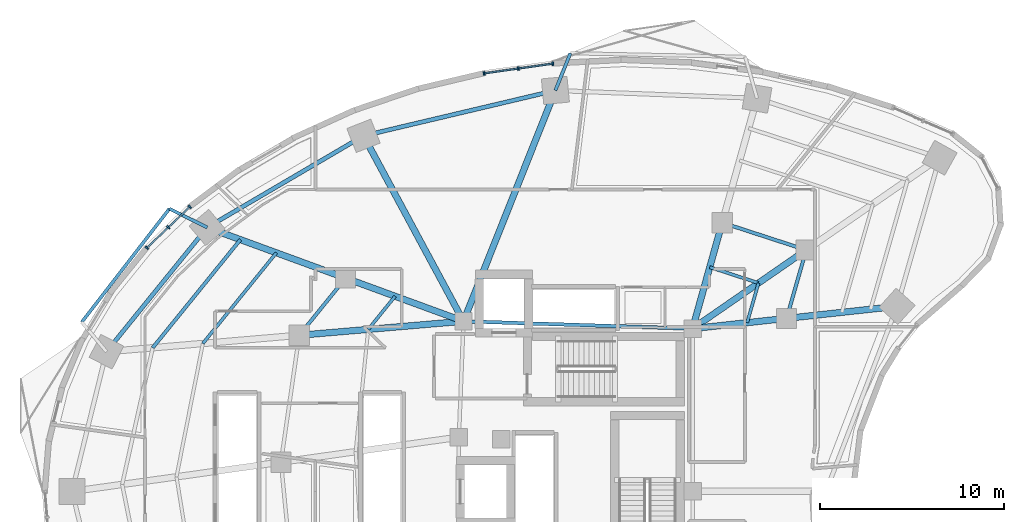
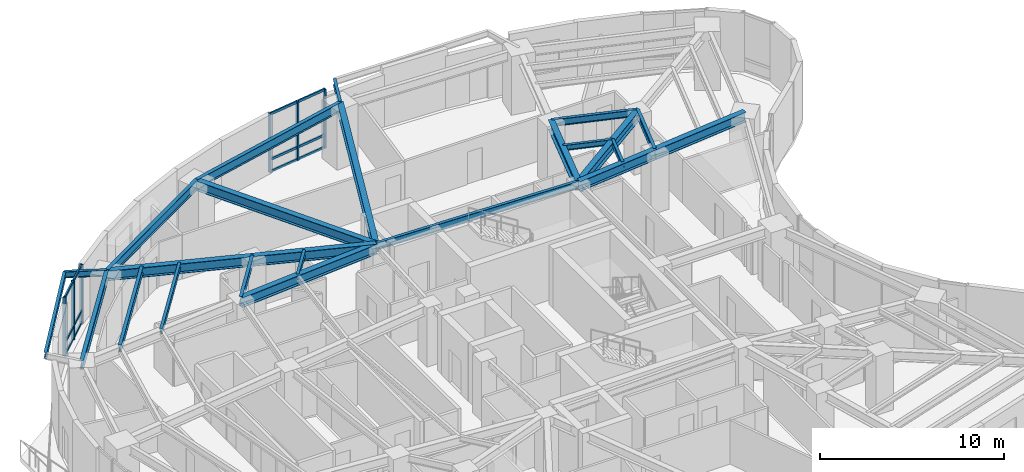
# One storey, part 5 of 16: 24 beams, 18 members, 2 elements without a shape of their own.
"""IFC4 building model written with IfcOpenShell, lengths in metres."""

from ifc_helpers import new_model, si_unit, direction, frame, origin, origin_2d, place, context, subcontext, project, spatial, rectangle, i_section, extrude, material, layer, layer_set, material_profile, profile_set, type_object, element, aggregate, save


model = new_model("IFC4")

# Units and contexts
model_context = context("Model", 3, precision=1e-05, world=origin(), true_north=direction((0.0, 1.0)))
body_context = subcontext(model_context, "Body", "Model", "MODEL_VIEW")
ifc_project = project(units=[si_unit("LENGTHUNIT", "METRE"), si_unit("AREAUNIT", "SQUARE_METRE"), si_unit("VOLUMEUNIT", "CUBIC_METRE"), si_unit("PLANEANGLEUNIT", "RADIAN"), si_unit("MASSUNIT", "GRAM", prefix="KILO")], contexts=[model_context])

# Site, building, storey
site_placement = place(None, origin())
site = spatial("IfcSite", under=ifc_project, at=site_placement, CompositionType="ELEMENT")
building_placement = place(site_placement, origin())
building = spatial("IfcBuilding", under=site, at=building_placement, Name="Korentha Bioscience Tower", CompositionType="ELEMENT")
storey_placement = place(building_placement, frame((0.0, 0.0, 59.39990234375)))
storey = spatial("IfcBuildingStorey", under=building, at=storey_placement, Name="L13", CompositionType="ELEMENT", Elevation=59.39990234375)

# Beams
ifc_material_1 = material(Name="Steel S355", Category="steel")
ifc_material_profile_1 = material_profile(ifc_material_1, i_section(OverallWidth=0.18994140625, OverallDepth=0.45703125, WebThickness=0.009033203125, FlangeThickness=0.014404296875, at=origin_2d()), Name="Steel S355")
ifc_profile_set_1 = profile_set([ifc_material_profile_1], Name="Steel S355 (MB-460)")
beam_type_1 = type_object("IfcBeamType", Name="Mid-Ring Tie Girder W460x74", PredefinedType="BEAM", material=ifc_profile_set_1)
beam_1_placement = place(storey_placement, frame((43.7265625, 40.121337890625, 3.671630859375), z_axis=(-0.950877001105, 0.309568940253, 0.0), x_axis=(-0.309568940253, -0.950877001105, 0.0)))
element("IfcBeam", 1, at=beam_1_placement, inside=storey, type_object=beam_type_1, Name="L13 Mid-Ring Tie Girder 01", PredefinedType="BEAM", context=body_context, shape_type="SweptSolid", body=[
    extrude(i_section(OverallWidth=0.18994140625, OverallDepth=0.45703125, WebThickness=0.009033203125, FlangeThickness=0.014404296875, at=origin_2d()), origin(), (0.0, 0.0, 1.0), 4.80126953125),
])
beam_2_placement = place(storey_placement, frame((18.692138671875, 38.5947265625, 3.671630859375), z_axis=(-0.629790009744, -0.776765436684, 0.0), x_axis=(0.776765436684, -0.629790009744, 0.0)))
element("IfcBeam", 2, at=beam_2_placement, inside=storey, type_object=beam_type_1, Name="L13 Mid-Ring Tie Girder 05", PredefinedType="BEAM", context=body_context, shape_type="SweptSolid", body=[
    extrude(i_section(OverallWidth=0.18994140625, OverallDepth=0.45703125, WebThickness=0.009033203125, FlangeThickness=0.014404296875, at=origin_2d()), origin(), (0.0, 0.0, 1.0), 3.998291015625),
])
beam_3_placement = place(storey_placement, frame((42.66162109375, 36.406982421875, 3.671630859375), z_axis=(0.27560557792, 0.961270807535, 0.0), x_axis=(-0.961270807535, 0.27560557792, 0.0)))
element("IfcBeam", 3, at=beam_3_placement, inside=storey, type_object=beam_type_1, Name="L13 Mid-Ring Tie Girder 16", PredefinedType="BEAM", context=body_context, shape_type="SweptSolid", body=[
    extrude(i_section(OverallWidth=0.18994140625, OverallDepth=0.45703125, WebThickness=0.009033203125, FlangeThickness=0.014404296875, at=origin_2d()), origin(), (0.0, 0.0, 1.0), 3.864013671875),
])
beam_4_placement = place(storey_placement, frame((37.550048828125, 35.85009765625, 3.671630859375), z_axis=(-0.999484526071, 0.032104238723, 0.0), x_axis=(-0.032104238723, -0.999484526071, 0.0)))
element("IfcBeam", 4, at=beam_4_placement, inside=storey, type_object=beam_type_1, Name="L13 Core Ring Tie Girder 01", PredefinedType="BEAM", context=body_context, shape_type="SweptSolid", body=[
    extrude(i_section(OverallWidth=0.18994140625, OverallDepth=0.45703125, WebThickness=0.009033203125, FlangeThickness=0.014404296875, at=origin_2d()), origin(), (0.0, 0.0, 1.0), 12.456298828125),
])

# Curtain wall, members
ifc_material_2 = material(Name="Thermally Broken Aluminium Frame", Category="aluminium")
ifc_layer = layer(ifc_material_2, 0.219970703125, Name="Thermally Broken Aluminium Frame")
ifc_layer_set = layer_set([ifc_layer], Name="Thermally Broken Aluminium Frame (CW-T1)")
curtain_wall_type = type_object("IfcCurtainWallType", Name="Standard Bioscience Lab Unitised Curtain Wall CW-T1", PredefinedType="USERDEFINED", material=ifc_layer_set)
curtain_wall_1_placement = place(storey_placement, origin())
curtain_wall_1 = element("IfcCurtainWall", 5, at=curtain_wall_1_placement, inside=storey, type_object=curtain_wall_type, Name="L13 Curtain Wall 07", ObjectType="UNITISED", PredefinedType="USERDEFINED")
ifc_material_3 = material(Name="Anodised Aluminium 6063-T6", Category="aluminium")
ifc_material_profile_2 = material_profile(ifc_material_3, rectangle(XDim=0.090087890625, YDim=0.199951171875, at=origin_2d()), Name="Anodised Aluminium 6063-T6")
ifc_profile_set_2 = profile_set([ifc_material_profile_2], Name="Anodised Aluminium 6063-T6 (CW-MUL)")
member_type_1 = type_object("IfcMemberType", Name="Mullion RECT 90x200", PredefinedType="MULLION", material=ifc_profile_set_2)
member_1_placement = place(storey_placement, frame((29.95849609375, 50.247802734375, 0.0), z_axis=(0.0, 0.0, 1.0), x_axis=(-0.990167372968, -0.139887717511, 0.0)))
member_1 = element("IfcMember", 6, at=member_1_placement, type_object=member_type_1, Name="CW-L13-07 Mullion 1", PredefinedType="MULLION", context=body_context, shape_type="SweptSolid", body=[
    extrude(rectangle(XDim=0.090087890625, YDim=0.199951171875, at=origin_2d()), origin(), (0.0, 0.0, 1.0), 3.900146484375),
])
member_2_placement = place(storey_placement, frame((28.086669921875, 49.9833984375, 0.0), z_axis=(0.0, 0.0, 1.0), x_axis=(-0.990167372968, -0.139887717511, 0.0)))
member_2 = element("IfcMember", 7, at=member_2_placement, type_object=member_type_1, Name="CW-L13-07 Mullion 2", PredefinedType="MULLION", context=body_context, shape_type="SweptSolid", body=[
    extrude(rectangle(XDim=0.090087890625, YDim=0.199951171875, at=origin_2d()), origin(), (0.0, 0.0, 1.0), 3.900146484375),
])
member_3_placement = place(storey_placement, frame((26.214599609375, 49.718994140625, 0.0), z_axis=(0.0, 0.0, 1.0), x_axis=(-0.990167372968, -0.139887717511, 0.0)))
member_3 = element("IfcMember", 8, at=member_3_placement, type_object=member_type_1, Name="CW-L13-07 Mullion 3", PredefinedType="MULLION", context=body_context, shape_type="SweptSolid", body=[
    extrude(rectangle(XDim=0.090087890625, YDim=0.199951171875, at=origin_2d()), origin(), (0.0, 0.0, 1.0), 3.900146484375),
])

curtain_wall_2_placement = place(storey_placement, origin())
curtain_wall_2 = element("IfcCurtainWall", 9, at=curtain_wall_2_placement, inside=storey, type_object=curtain_wall_type, Name="L13 Curtain Wall 13", ObjectType="UNITISED", PredefinedType="USERDEFINED")
member_4_placement = place(storey_placement, frame((10.228759765625, 42.467041015625, 0.0), z_axis=(0.0, 0.0, 1.0), x_axis=(-0.723641761581, -0.690175775361, 0.0)))
member_4 = element("IfcMember", 10, at=member_4_placement, type_object=member_type_1, Name="CW-L13-13 Mullion 1", PredefinedType="MULLION", context=body_context, shape_type="SweptSolid", body=[
    extrude(rectangle(XDim=0.090087890625, YDim=0.199951171875, at=origin_2d()), origin(), (0.0, 0.0, 1.0), 3.900146484375),
])
member_5_placement = place(storey_placement, frame((9.05908203125, 41.3515625, 0.0), z_axis=(0.0, 0.0, 1.0), x_axis=(-0.723641761581, -0.690175775361, 0.0)))
member_5 = element("IfcMember", 11, at=member_5_placement, type_object=member_type_1, Name="CW-L13-13 Mullion 2", PredefinedType="MULLION", context=body_context, shape_type="SweptSolid", body=[
    extrude(rectangle(XDim=0.090087890625, YDim=0.199951171875, at=origin_2d()), origin(), (0.0, 0.0, 1.0), 3.900146484375),
])
member_6_placement = place(storey_placement, frame((7.889404296875, 40.236083984375, 0.0), z_axis=(0.0, 0.0, 1.0), x_axis=(-0.723641761581, -0.690175775361, 0.0)))
member_6 = element("IfcMember", 12, at=member_6_placement, type_object=member_type_1, Name="CW-L13-13 Mullion 3", PredefinedType="MULLION", context=body_context, shape_type="SweptSolid", body=[
    extrude(rectangle(XDim=0.090087890625, YDim=0.199951171875, at=origin_2d()), origin(), (0.0, 0.0, 1.0), 3.900146484375),
])

# Beams
ifc_material_profile_3 = material_profile(ifc_material_1, i_section(OverallWidth=0.22802734375, OverallDepth=0.60791015625, WebThickness=0.01123046875, FlangeThickness=0.017333984375, at=origin_2d()), Name="Steel S355")
ifc_profile_set_3 = profile_set([ifc_material_profile_3], Name="Steel S355 (SB-610)")
beam_type_2 = type_object("IfcBeamType", Name="Perimeter Ring Spandrel Girder W610x113", PredefinedType="SPANDREL", material=ifc_profile_set_3)
beam_5_placement = place(storey_placement, frame((30.09423828125, 48.79248046875, 3.59619140625), z_axis=(-0.973207885376, -0.229926970672, 0.0), x_axis=(0.229926970672, -0.973207885376, 0.0)))
element("IfcBeam", 13, at=beam_5_placement, inside=storey, type_object=beam_type_2, Name="L13 Perimeter Spandrel Girder 03", PredefinedType="SPANDREL", context=body_context, shape_type="SweptSolid", body=[
    extrude(i_section(OverallWidth=0.22802734375, OverallDepth=0.60791015625, WebThickness=0.01123046875, FlangeThickness=0.017333984375, at=origin_2d()), origin(), (0.0, 0.0, 1.0), 10.71484375),
])
beam_6_placement = place(storey_placement, frame((19.66650390625, 46.328857421875, 3.59619140625), z_axis=(-0.862656574181, -0.505790109653, 0.0), x_axis=(0.505790109653, -0.862656574181, 0.0)))
element("IfcBeam", 14, at=beam_6_placement, inside=storey, type_object=beam_type_2, Name="L13 Perimeter Spandrel Girder 04", PredefinedType="SPANDREL", context=body_context, shape_type="SweptSolid", body=[
    extrude(i_section(OverallWidth=0.22802734375, OverallDepth=0.60791015625, WebThickness=0.01123046875, FlangeThickness=0.017333984375, at=origin_2d()), origin(), (0.0, 0.0, 1.0), 9.849365234375),
])
beam_7_placement = place(storey_placement, frame((11.169921875, 41.34716796875, 3.59619140625), z_axis=(-0.629799210231, -0.776757976974, 0.0), x_axis=(0.776757976974, -0.629799210231, 0.0)))
element("IfcBeam", 15, at=beam_7_placement, inside=storey, type_object=beam_type_2, Name="L13 Perimeter Spandrel Girder 05", PredefinedType="SPANDREL", context=body_context, shape_type="SweptSolid", body=[
    extrude(i_section(OverallWidth=0.22802734375, OverallDepth=0.60791015625, WebThickness=0.01123046875, FlangeThickness=0.017333984375, at=origin_2d()), origin(), (0.0, 0.0, 1.0), 8.69189453125),
])
ifc_material_profile_4 = material_profile(ifc_material_1, i_section(OverallWidth=0.18994140625, OverallDepth=0.45703125, WebThickness=0.009033203125, FlangeThickness=0.014404296875, at=origin_2d()), Name="Steel S355")
ifc_profile_set_4 = profile_set([ifc_material_profile_4], Name="Steel S355 (RB-460)")
beam_type_3 = type_object("IfcBeamType", Name="Radial Laboratory Beam W460x74", PredefinedType="BEAM", material=ifc_profile_set_4)
beam_8_placement = place(storey_placement, frame((12.97509765625, 40.6865234375, 3.671630859375), z_axis=(-0.629797748553, -0.776759162107, 0.0), x_axis=(0.776759162107, -0.629797748553, 0.0)))
element("IfcBeam", 16, at=beam_8_placement, inside=storey, type_object=beam_type_3, Name="L13 Secondary Floor Beam JSTO-05", PredefinedType="BEAM", context=body_context, shape_type="SweptSolid", body=[
    extrude(i_section(OverallWidth=0.18994140625, OverallDepth=0.45703125, WebThickness=0.009033203125, FlangeThickness=0.014404296875, at=origin_2d()), origin(), (0.0, 0.0, 1.0), 7.5654296875),
])
ifc_material_profile_5 = material_profile(ifc_material_1, i_section(OverallWidth=0.35009765625, OverallDepth=0.64990234375, WebThickness=0.01611328125, FlangeThickness=0.02490234375, at=origin_2d()), Name="Steel S355")
ifc_profile_set_5 = profile_set([ifc_material_profile_5], Name="Steel S355 (RB-650)")
beam_type_4 = type_object("IfcBeamType", Name="Radial Laboratory Girder CVS 650x208", PredefinedType="BEAM", material=ifc_profile_set_5)
beam_9_placement = place(storey_placement, frame((37.550048828125, 35.85009765625, 3.5751953125), z_axis=(0.822491697625, 0.568777115694, 0.0), x_axis=(-0.568777115694, 0.822491697625, 0.0)))
element("IfcBeam", 17, at=beam_9_placement, inside=storey, type_object=beam_type_4, Name="L13 Inner Radial Girder 01", PredefinedType="BEAM", context=body_context, shape_type="SweptSolid", body=[
    extrude(i_section(OverallWidth=0.35009765625, OverallDepth=0.64990234375, WebThickness=0.01611328125, FlangeThickness=0.02490234375, at=origin_2d()), origin(), (0.0, 0.0, 1.0), 7.509521484375),
])
beam_10_placement = place(storey_placement, frame((37.550048828125, 35.85009765625, 3.5751953125), z_axis=(0.269469369205, 0.963008961049, 0.0), x_axis=(-0.963008961049, 0.269469369205, 0.0)))
element("IfcBeam", 18, at=beam_10_placement, inside=storey, type_object=beam_type_4, Name="L13 Inner Radial Girder 02", PredefinedType="BEAM", context=body_context, shape_type="SweptSolid", body=[
    extrude(i_section(OverallWidth=0.35009765625, OverallDepth=0.64990234375, WebThickness=0.01611328125, FlangeThickness=0.02490234375, at=origin_2d()), origin(), (0.0, 0.0, 1.0), 5.978759765625),
])
beam_11_placement = place(storey_placement, frame((25.10009765625, 36.25, 3.5751953125), z_axis=(0.369931007413, 0.929059228335, 0.0), x_axis=(-0.929059228335, 0.369931007413, 0.0)))
element("IfcBeam", 19, at=beam_11_placement, inside=storey, type_object=beam_type_4, Name="L13 Radial Girder 03", PredefinedType="BEAM", context=body_context, shape_type="SweptSolid", body=[
    extrude(i_section(OverallWidth=0.35009765625, OverallDepth=0.64990234375, WebThickness=0.01611328125, FlangeThickness=0.02490234375, at=origin_2d()), origin(), (0.0, 0.0, 1.0), 13.500244140625),
])
beam_12_placement = place(storey_placement, frame((25.10009765625, 36.25, 3.5751953125), z_axis=(-0.47454097106, 0.880233416081, 0.0), x_axis=(-0.880233416081, -0.47454097106, 0.0)))
element("IfcBeam", 20, at=beam_12_placement, inside=storey, type_object=beam_type_4, Name="L13 Radial Girder 04", PredefinedType="BEAM", context=body_context, shape_type="SweptSolid", body=[
    extrude(i_section(OverallWidth=0.35009765625, OverallDepth=0.64990234375, WebThickness=0.01611328125, FlangeThickness=0.02490234375, at=origin_2d()), origin(), (0.0, 0.0, 1.0), 11.4501953125),
])
beam_13_placement = place(storey_placement, frame((25.10009765625, 36.25, 3.5751953125), z_axis=(-0.939106237741, 0.343626940498, 0.0), x_axis=(-0.343626940498, -0.939106237741, 0.0)))
element("IfcBeam", 21, at=beam_13_placement, inside=storey, type_object=beam_type_4, Name="L13 Inner Radial Girder 05", PredefinedType="BEAM", context=body_context, shape_type="SweptSolid", body=[
    extrude(i_section(OverallWidth=0.35009765625, OverallDepth=0.64990234375, WebThickness=0.01611328125, FlangeThickness=0.02490234375, at=origin_2d()), origin(), (0.0, 0.0, 1.0), 6.823486328125),
])
beam_14_placement = place(storey_placement, frame((18.692138671875, 38.5947265625, 3.5751953125), z_axis=(-0.939106299948, 0.343626770491, 0.0), x_axis=(-0.343626770491, -0.939106299948, 0.0)))
element("IfcBeam", 22, at=beam_14_placement, inside=storey, type_object=beam_type_4, Name="L13 Outer Radial Girder 05", PredefinedType="BEAM", context=body_context, shape_type="SweptSolid", body=[
    extrude(i_section(OverallWidth=0.35009765625, OverallDepth=0.64990234375, WebThickness=0.01611328125, FlangeThickness=0.02490234375, at=origin_2d()), origin(), (0.0, 0.0, 1.0), 8.010009765625),
])
beam_15_placement = place(storey_placement, frame((25.10009765625, 36.25, 3.5751953125), z_axis=(-0.996385503026, -0.08494662654, 0.0), x_axis=(0.08494662654, -0.996385503026, 0.0)))
element("IfcBeam", 23, at=beam_15_placement, inside=storey, type_object=beam_type_4, Name="L13 Inner Radial Girder 06", PredefinedType="BEAM", context=body_context, shape_type="SweptSolid", body=[
    extrude(i_section(OverallWidth=0.35009765625, OverallDepth=0.64990234375, WebThickness=0.01611328125, FlangeThickness=0.02490234375, at=origin_2d()), origin(), (0.0, 0.0, 1.0), 8.95849609375),
])
beam_16_placement = place(storey_placement, frame((37.550048828125, 35.85009765625, 3.5751953125), z_axis=(0.994117709144, 0.10830503389, 0.0), x_axis=(-0.10830503389, 0.994117709144, 0.0)))
element("IfcBeam", 24, at=beam_16_placement, inside=storey, type_object=beam_type_4, Name="L13 Inner Radial Girder 16", PredefinedType="BEAM", context=body_context, shape_type="SweptSolid", body=[
    extrude(i_section(OverallWidth=0.35009765625, OverallDepth=0.64990234375, WebThickness=0.01611328125, FlangeThickness=0.02490234375, at=origin_2d()), origin(), (0.0, 0.0, 1.0), 5.141845703125),
])
beam_17_placement = place(storey_placement, frame((42.66162109375, 36.406982421875, 3.5751953125), z_axis=(0.994115805925, 0.108322501862, 0.0), x_axis=(-0.108322501862, 0.994115805925, 0.0)))
element("IfcBeam", 25, at=beam_17_placement, inside=storey, type_object=beam_type_4, Name="L13 Outer Radial Girder 16", PredefinedType="BEAM", context=body_context, shape_type="SweptSolid", body=[
    extrude(i_section(OverallWidth=0.35009765625, OverallDepth=0.64990234375, WebThickness=0.01611328125, FlangeThickness=0.02490234375, at=origin_2d()), origin(), (0.0, 0.0, 1.0), 6.03564453125),
])
ifc_material_profile_6 = material_profile(ifc_material_1, i_section(OverallWidth=0.1708984375, OverallDepth=0.35498046875, WebThickness=0.007080078125, FlangeThickness=0.01171875, at=origin_2d()), Name="Steel S355")
ifc_profile_set_6 = profile_set([ifc_material_profile_6], Name="Steel S355 (JB-360)")
beam_type_5 = type_object("IfcBeamType", Name="Secondary Laboratory Joist W360x51", PredefinedType="JOIST", material=ifc_profile_set_6)
beam_18_placement = place(storey_placement, frame((41.13232421875, 38.327392578125, 3.72265625), z_axis=(-0.950869630746, 0.309591578254, 0.0), x_axis=(-0.309591578254, -0.950869630746, 0.0)))
element("IfcBeam", 26, at=beam_18_placement, inside=storey, type_object=beam_type_5, Name="L13 Inner Bay Joist 01", PredefinedType="JOIST", context=body_context, shape_type="SweptSolid", body=[
    extrude(i_section(OverallWidth=0.1708984375, OverallDepth=0.35498046875, WebThickness=0.007080078125, FlangeThickness=0.01171875, at=origin_2d()), origin(), (0.0, 0.0, 1.0), 2.784423828125),
])
beam_19_placement = place(storey_placement, frame((14.930908203125, 39.970947265625, 3.72265625), z_axis=(-0.629786899984, -0.776767958021, 0.0), x_axis=(0.776767958021, -0.629786899984, 0.0)))
element("IfcBeam", 27, at=beam_19_placement, inside=storey, type_object=beam_type_5, Name="L13 Secondary Floor Beam JST-05", PredefinedType="JOIST", context=body_context, shape_type="SweptSolid", body=[
    extrude(i_section(OverallWidth=0.1708984375, OverallDepth=0.35498046875, WebThickness=0.007080078125, FlangeThickness=0.01171875, at=origin_2d()), origin(), (0.0, 0.0, 1.0), 6.34521484375),
])
beam_20_placement = place(storey_placement, frame((21.38330078125, 37.60986328125, 3.72265625), z_axis=(-0.629791657613, -0.776764100613, 0.0), x_axis=(0.776764100613, -0.629791657613, 0.0)))
element("IfcBeam", 28, at=beam_20_placement, inside=storey, type_object=beam_type_5, Name="L13 Inner Bay Joist 05", PredefinedType="JOIST", context=body_context, shape_type="SweptSolid", body=[
    extrude(i_section(OverallWidth=0.1708984375, OverallDepth=0.35498046875, WebThickness=0.007080078125, FlangeThickness=0.01171875, at=origin_2d()), origin(), (0.0, 0.0, 1.0), 2.31884765625),
])
beam_21_placement = place(storey_placement, frame((40.5146484375, 36.173095703125, 3.72265625), z_axis=(0.275613067773, 0.961268660091, 0.0), x_axis=(-0.961268660091, 0.275613067773, 0.0)))
element("IfcBeam", 29, at=beam_21_placement, inside=storey, type_object=beam_type_5, Name="L13 Inner Bay Joist 16", PredefinedType="JOIST", context=body_context, shape_type="SweptSolid", body=[
    extrude(i_section(OverallWidth=0.1708984375, OverallDepth=0.35498046875, WebThickness=0.007080078125, FlangeThickness=0.01171875, at=origin_2d()), origin(), (0.0, 0.0, 1.0), 2.2412109375),
])
ifc_material_profile_7 = material_profile(ifc_material_1, i_section(OverallWidth=0.177978515625, OverallDepth=0.406982421875, WebThickness=0.0078125, FlangeThickness=0.0126953125, at=origin_2d()), Name="Steel S355")
ifc_profile_set_7 = profile_set([ifc_material_profile_7], Name="Steel S355 (CB-410)")
beam_type_6 = type_object("IfcBeamType", Name="Sun-Ledge Cantilever Beam W410x60", PredefinedType="BEAM", material=ifc_profile_set_7)
beam_22_placement = place(storey_placement, frame((30.09423828125, 48.79248046875, 3.698486328125), z_axis=(0.372971735808, 0.927842704497, 0.0), x_axis=(-0.927842704497, 0.372971735808, 0.0)))
element("IfcBeam", 30, at=beam_22_placement, inside=storey, type_object=beam_type_6, Name="L13 Balcony Cantilever Bracket B-L14-01", PredefinedType="BEAM", context=body_context, shape_type="SweptSolid", body=[
    extrude(i_section(OverallWidth=0.177978515625, OverallDepth=0.406982421875, WebThickness=0.0078125, FlangeThickness=0.0126953125, at=origin_2d()), origin(), (0.0, 0.0, 1.0), 2.182373046875),
])
beam_23_placement = place(storey_placement, frame((11.169921875, 41.34716796875, 3.698486328125), z_axis=(-0.895871917381, 0.444312398711, 0.0), x_axis=(-0.444312398711, -0.895871917381, 0.0)))
element("IfcBeam", 31, at=beam_23_placement, inside=storey, type_object=beam_type_6, Name="L13 Balcony Cantilever Bracket A-L14-02", PredefinedType="BEAM", context=body_context, shape_type="SweptSolid", body=[
    extrude(i_section(OverallWidth=0.177978515625, OverallDepth=0.406982421875, WebThickness=0.0078125, FlangeThickness=0.0126953125, at=origin_2d()), origin(), (0.0, 0.0, 1.0), 2.290771484375),
])
beam_24_placement = place(storey_placement, frame((9.11767578125, 42.364990234375, 3.698486328125), z_axis=(-0.611643786386, -0.791133287491, 0.0), x_axis=(0.791133287491, -0.611643786386, 0.0)))
element("IfcBeam", 32, at=beam_24_placement, inside=storey, type_object=beam_type_6, Name="L13 Balcony Edge Trimmer Beam L14-02", PredefinedType="BEAM", context=body_context, shape_type="SweptSolid", body=[
    extrude(i_section(OverallWidth=0.177978515625, OverallDepth=0.406982421875, WebThickness=0.0078125, FlangeThickness=0.0126953125, at=origin_2d()), origin(), (0.0, 0.0, 1.0), 7.787109375),
])

# Member
ifc_material_profile_8 = material_profile(ifc_material_3, rectangle(XDim=0.090087890625, YDim=0.159912109375, at=origin_2d()), Name="Anodised Aluminium 6063-T6")
ifc_profile_set_8 = profile_set([ifc_material_profile_8], Name="Anodised Aluminium 6063-T6 (CW-TRN)")
member_type_2 = type_object("IfcMemberType", Name="Transom RECT 90x160", PredefinedType="USERDEFINED", material=ifc_profile_set_8)
member_7_placement = place(storey_placement, frame((29.913818359375, 50.24169921875, 0.045166015625), z_axis=(-0.990159924061, -0.139940432982, 0.0), x_axis=(0.139940432982, -0.990159924061, 0.0)))
member_7 = element("IfcMember", 33, at=member_7_placement, type_object=member_type_2, Name="CW-L13-07 Bay 1 Transom 1", ObjectType="TRANSOM", PredefinedType="USERDEFINED", context=body_context, shape_type="SweptSolid", body=[
    extrude(rectangle(XDim=0.090087890625, YDim=0.159912109375, at=origin_2d()), origin(), (0.0, 0.0, 1.0), 1.800537109375),
])

member_8_placement = place(storey_placement, frame((29.913818359375, 50.24169921875, 0.85009765625), z_axis=(-0.990159924061, -0.139940432982, 0.0), x_axis=(0.139940432982, -0.990159924061, 0.0)))
member_8 = element("IfcMember", 34, at=member_8_placement, type_object=member_type_2, Name="CW-L13-07 Bay 1 Transom 2", ObjectType="TRANSOM", PredefinedType="USERDEFINED", context=body_context, shape_type="SweptSolid", body=[
    extrude(rectangle(XDim=0.090087890625, YDim=0.159912109375, at=origin_2d()), origin(), (0.0, 0.0, 1.0), 1.800537109375),
])

member_9_placement = place(storey_placement, frame((29.913818359375, 50.24169921875, 3.85498046875), z_axis=(-0.990159924061, -0.139940432982, 0.0), x_axis=(0.139940432982, -0.990159924061, 0.0)))
member_9 = element("IfcMember", 35, at=member_9_placement, type_object=member_type_2, Name="CW-L13-07 Bay 1 Transom 3", ObjectType="TRANSOM", PredefinedType="USERDEFINED", context=body_context, shape_type="SweptSolid", body=[
    extrude(rectangle(XDim=0.090087890625, YDim=0.159912109375, at=origin_2d()), origin(), (0.0, 0.0, 1.0), 1.800537109375),
])

member_10_placement = place(storey_placement, frame((28.0419921875, 49.977294921875, 0.045166015625), z_axis=(-0.990159924061, -0.139940432982, 0.0), x_axis=(0.139940432982, -0.990159924061, 0.0)))
member_10 = element("IfcMember", 36, at=member_10_placement, type_object=member_type_2, Name="CW-L13-07 Bay 2 Transom 1", ObjectType="TRANSOM", PredefinedType="USERDEFINED", context=body_context, shape_type="SweptSolid", body=[
    extrude(rectangle(XDim=0.090087890625, YDim=0.159912109375, at=origin_2d()), origin(), (0.0, 0.0, 1.0), 1.800537109375),
])

member_11_placement = place(storey_placement, frame((28.0419921875, 49.977294921875, 0.85009765625), z_axis=(-0.990159924061, -0.139940432982, 0.0), x_axis=(0.139940432982, -0.990159924061, 0.0)))
member_11 = element("IfcMember", 37, at=member_11_placement, type_object=member_type_2, Name="CW-L13-07 Bay 2 Transom 2", ObjectType="TRANSOM", PredefinedType="USERDEFINED", context=body_context, shape_type="SweptSolid", body=[
    extrude(rectangle(XDim=0.090087890625, YDim=0.159912109375, at=origin_2d()), origin(), (0.0, 0.0, 1.0), 1.800537109375),
])

member_12_placement = place(storey_placement, frame((28.0419921875, 49.977294921875, 3.85498046875), z_axis=(-0.990159924061, -0.139940432982, 0.0), x_axis=(0.139940432982, -0.990159924061, 0.0)))
member_12 = element("IfcMember", 38, at=member_12_placement, type_object=member_type_2, Name="CW-L13-07 Bay 2 Transom 3", ObjectType="TRANSOM", PredefinedType="USERDEFINED", context=body_context, shape_type="SweptSolid", body=[
    extrude(rectangle(XDim=0.090087890625, YDim=0.159912109375, at=origin_2d()), origin(), (0.0, 0.0, 1.0), 1.800537109375),
])

aggregate(curtain_wall_1, [member_1, member_2, member_3, member_7, member_8, member_9, member_10, member_11, member_12])

member_13_placement = place(storey_placement, frame((10.1962890625, 42.43603515625, 0.045166015625), z_axis=(-0.72370039216, -0.690114296612, 0.0), x_axis=(0.690114296612, -0.72370039216, 0.0)))
member_13 = element("IfcMember", 39, at=member_13_placement, type_object=member_type_2, Name="CW-L13-13 Bay 1 Transom 1", ObjectType="TRANSOM", PredefinedType="USERDEFINED", context=body_context, shape_type="SweptSolid", body=[
    extrude(rectangle(XDim=0.090087890625, YDim=0.159912109375, at=origin_2d()), origin(), (0.0, 0.0, 1.0), 1.526611328125),
])

member_14_placement = place(storey_placement, frame((10.1962890625, 42.43603515625, 0.85009765625), z_axis=(-0.72370039216, -0.690114296612, 0.0), x_axis=(0.690114296612, -0.72370039216, 0.0)))
member_14 = element("IfcMember", 40, at=member_14_placement, type_object=member_type_2, Name="CW-L13-13 Bay 1 Transom 2", ObjectType="TRANSOM", PredefinedType="USERDEFINED", context=body_context, shape_type="SweptSolid", body=[
    extrude(rectangle(XDim=0.090087890625, YDim=0.159912109375, at=origin_2d()), origin(), (0.0, 0.0, 1.0), 1.526611328125),
])

member_15_placement = place(storey_placement, frame((10.1962890625, 42.43603515625, 3.85498046875), z_axis=(-0.72370039216, -0.690114296612, 0.0), x_axis=(0.690114296612, -0.72370039216, 0.0)))
member_15 = element("IfcMember", 41, at=member_15_placement, type_object=member_type_2, Name="CW-L13-13 Bay 1 Transom 3", ObjectType="TRANSOM", PredefinedType="USERDEFINED", context=body_context, shape_type="SweptSolid", body=[
    extrude(rectangle(XDim=0.090087890625, YDim=0.159912109375, at=origin_2d()), origin(), (0.0, 0.0, 1.0), 1.526611328125),
])

member_16_placement = place(storey_placement, frame((9.026611328125, 41.320556640625, 0.045166015625), z_axis=(-0.72370039216, -0.690114296612, 0.0), x_axis=(0.690114296612, -0.72370039216, 0.0)))
member_16 = element("IfcMember", 42, at=member_16_placement, type_object=member_type_2, Name="CW-L13-13 Bay 2 Transom 1", ObjectType="TRANSOM", PredefinedType="USERDEFINED", context=body_context, shape_type="SweptSolid", body=[
    extrude(rectangle(XDim=0.090087890625, YDim=0.159912109375, at=origin_2d()), origin(), (0.0, 0.0, 1.0), 1.526611328125),
])

member_17_placement = place(storey_placement, frame((9.026611328125, 41.320556640625, 0.85009765625), z_axis=(-0.72370039216, -0.690114296612, 0.0), x_axis=(0.690114296612, -0.72370039216, 0.0)))
member_17 = element("IfcMember", 43, at=member_17_placement, type_object=member_type_2, Name="CW-L13-13 Bay 2 Transom 2", ObjectType="TRANSOM", PredefinedType="USERDEFINED", context=body_context, shape_type="SweptSolid", body=[
    extrude(rectangle(XDim=0.090087890625, YDim=0.159912109375, at=origin_2d()), origin(), (0.0, 0.0, 1.0), 1.526611328125),
])

member_18_placement = place(storey_placement, frame((9.026611328125, 41.320556640625, 3.85498046875), z_axis=(-0.72370039216, -0.690114296612, 0.0), x_axis=(0.690114296612, -0.72370039216, 0.0)))
member_18 = element("IfcMember", 44, at=member_18_placement, type_object=member_type_2, Name="CW-L13-13 Bay 2 Transom 3", ObjectType="TRANSOM", PredefinedType="USERDEFINED", context=body_context, shape_type="SweptSolid", body=[
    extrude(rectangle(XDim=0.090087890625, YDim=0.159912109375, at=origin_2d()), origin(), (0.0, 0.0, 1.0), 1.526611328125),
])

aggregate(curtain_wall_2, [member_4, member_5, member_6, member_13, member_14, member_15, member_16, member_17, member_18])

save(model, "model.ifc")
